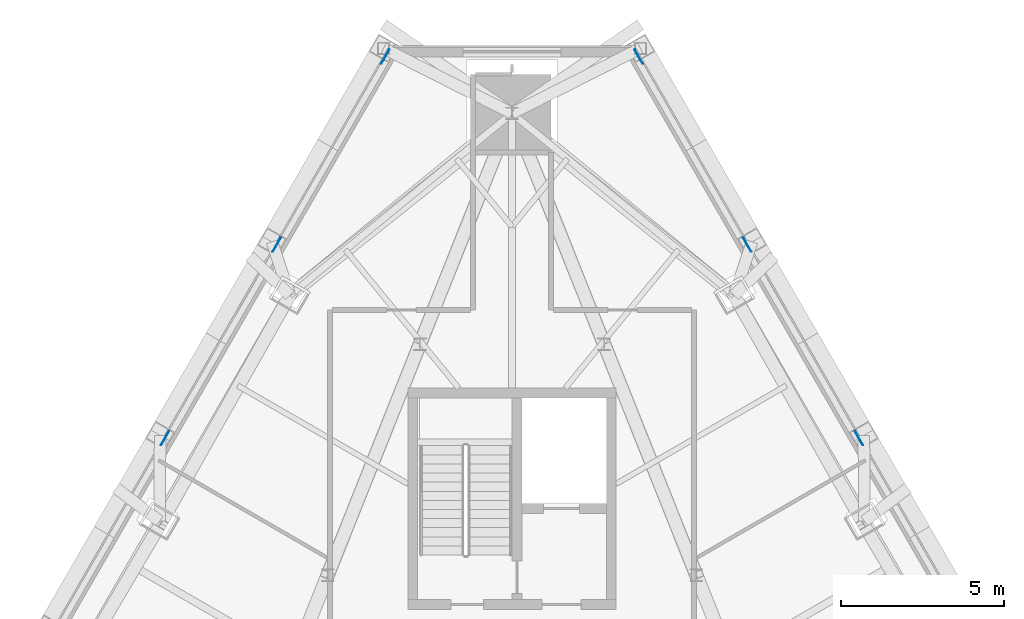
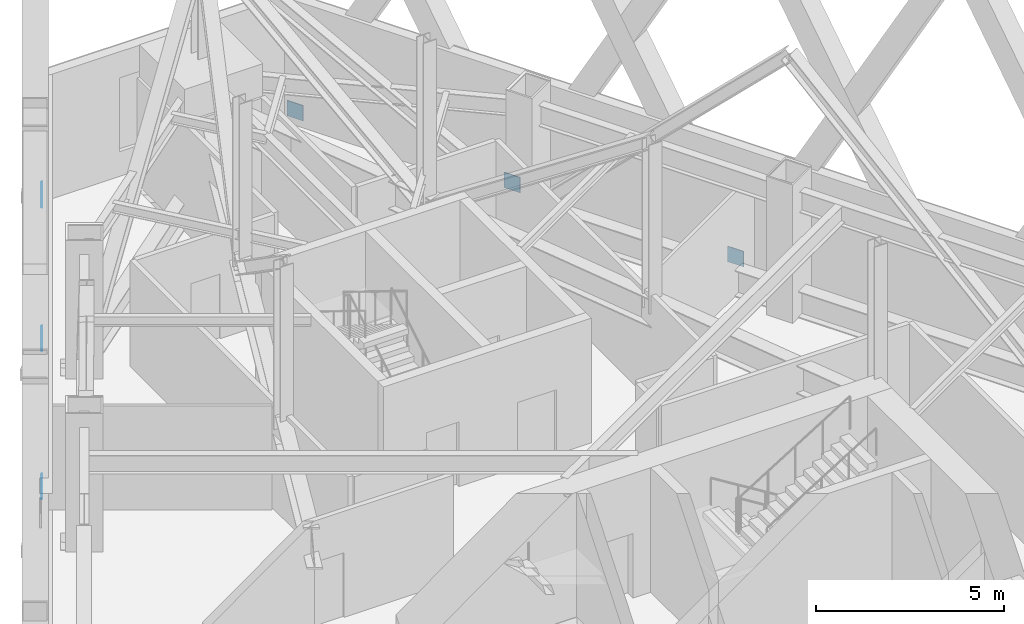
# One storey, part 14 of 16: 6 discrete accessories.
"""IFC4 building model written with IfcOpenShell, lengths in metres."""

from ifc_helpers import new_model, si_unit, direction, frame, origin, origin_2d, place, context, subcontext, project, spatial, rectangle, extrude, material, layer, layer_set, type_object, element, save


model = new_model("IFC4")

# Units and contexts
model_context = context("Model", 3, precision=1e-05, world=origin(), true_north=direction((0.0, 1.0)))
body_context = subcontext(model_context, "Body", "Model", "MODEL_VIEW")
ifc_project = project(units=[si_unit("LENGTHUNIT", "METRE"), si_unit("AREAUNIT", "SQUARE_METRE"), si_unit("VOLUMEUNIT", "CUBIC_METRE"), si_unit("PLANEANGLEUNIT", "RADIAN"), si_unit("MASSUNIT", "GRAM", prefix="KILO")], contexts=[model_context])

# Site, building, storey
site_placement = place(None, origin())
site = spatial("IfcSite", under=ifc_project, at=site_placement, CompositionType="ELEMENT")
building_placement = place(site_placement, origin())
building = spatial("IfcBuilding", under=site, at=building_placement, Name="Firuza Gate Tower and Library", CompositionType="ELEMENT")
storey_placement = place(building_placement, frame((0.0, 0.0, 247.60009765625)))
storey = spatial("IfcBuildingStorey", under=building, at=storey_placement, Name="L58", CompositionType="ELEMENT", Elevation=247.60009765625)

# Discrete accessories
ifc_material = material(Name="Steel S355", Category="steel")
ifc_layer = layer(ifc_material, 0.02490234375)
ifc_layer_set = layer_set([ifc_layer], Name="Cast-in anchor plate 500x500x25 Steel S355")
discrete_accessory_type = type_object("IfcDiscreteAccessoryType", Name="Cast-in anchor plate 500x500x25 Steel S355", PredefinedType="BRACKET", material=ifc_layer_set)
for number, where, z_axis, x_axis, name in (
    (1, (85.66845703125, 93.06103515625, 0.0), (0.0, 0.0, 1.0), (-0.499999984885, 0.866025412511, 0.0), "Cast-in anchor plate"),
    (2, (82.232666015625, 99.011962890625, 0.0), (0.0, 0.0, 1.0), (-0.499999984885, 0.866025412511, 0.0), "Cast-in anchor plate"),
    (3, (78.89599609375, 104.791259765625, 0.0), (0.0, 0.0, 1.0), (-0.499999984885, 0.866025412511, 0.0), "Cast-in anchor plate"),
    (4, (71.10400390625, 104.791259765625, 0.0), (0.0, 0.0, 1.0), (-0.499999984885, -0.866025412511, 0.0), "Cast-in anchor plate"),
    (5, (67.767333984375, 99.011962890625, 0.0), (0.0, 0.0, 1.0), (-0.499999984885, -0.866025412511, 0.0), "Cast-in anchor plate"),
    (6, (64.33154296875, 93.06103515625, 0.0), (0.0, 0.0, 1.0), (-0.499999984885, -0.866025412511, 0.0), "Cast-in anchor plate"),
):
    element("IfcDiscreteAccessory", number, at=place(storey_placement, frame(where, z_axis=z_axis, x_axis=x_axis)), inside=storey, type_object=discrete_accessory_type, Name=name, PredefinedType="BRACKET", context=body_context, shape_type="SweptSolid", body=[
        extrude(rectangle(XDim=0.5, YDim=0.02490234375, at=origin_2d()), origin(), (0.0, 0.0, 1.0), 0.5),
    ])

save(model, "model.ifc")
